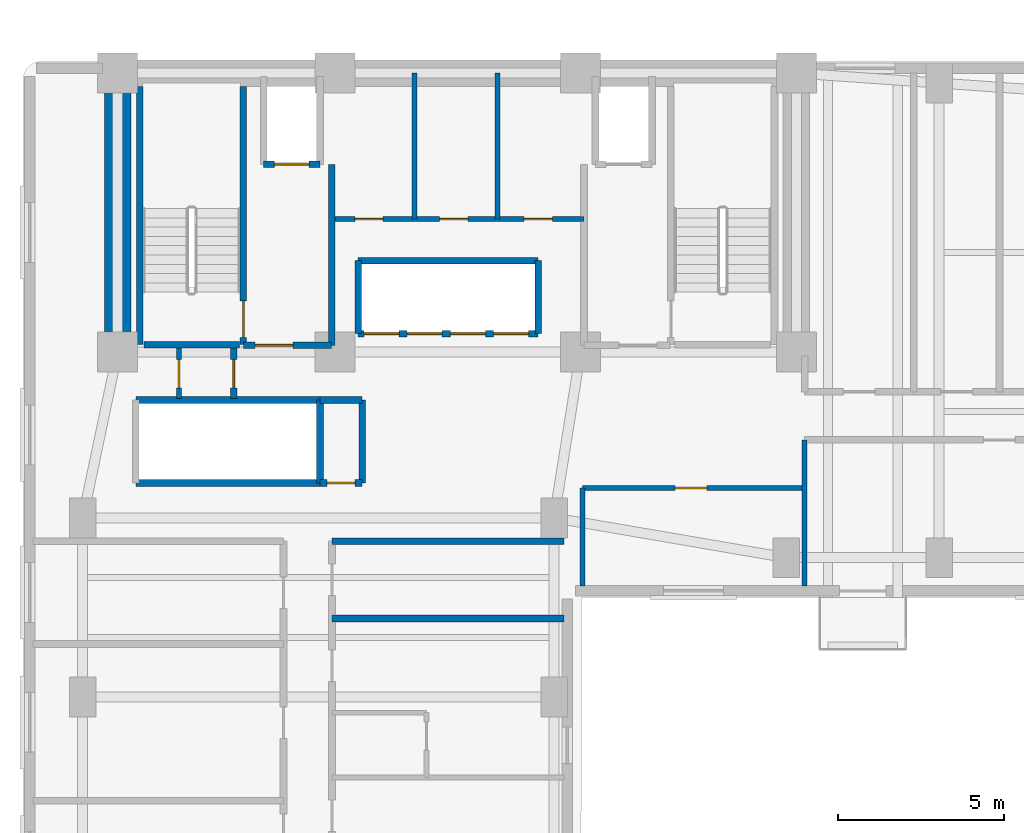
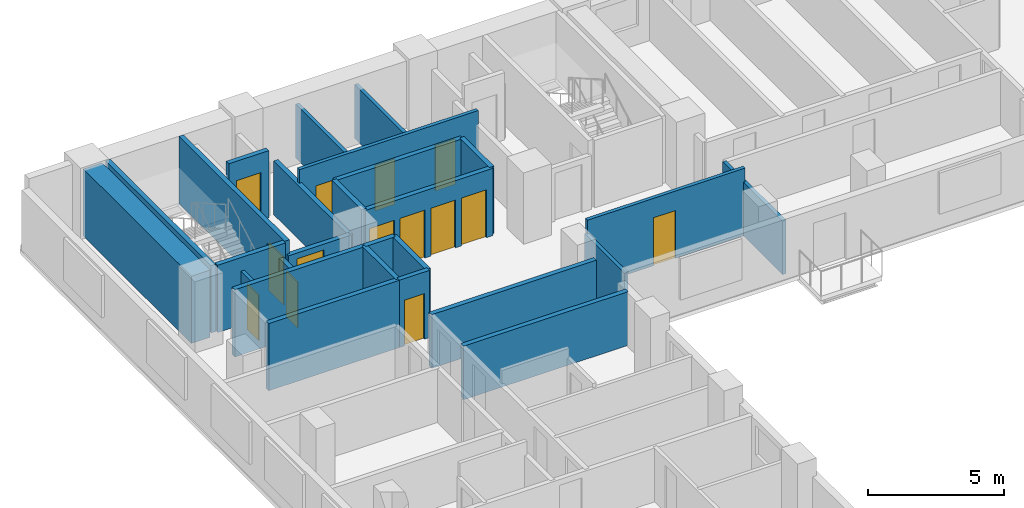
# One storey, part 4 of 10: 27 walls, 14 doors, 14 openings.
"""IFC4 building model written with IfcOpenShell, lengths in metres."""

import ifcopenshell
import ifcopenshell.guid

model = None  # the IFC model being written
_history = None  # IfcOwnerHistory: only IFC2X3 demands one
_inside = {}  # id of a spatial element -> (the spatial element, [elements in it])
_under = {}  # id of a project, library or spatial element -> (it, [spatial elements below it])
_declared = {}  # id of a project -> (the project, [libraries it declares])
_typed = {}  # id of a type object -> (the type object, [elements of that type])
_made_of = {}  # id of a material, layer set ... -> (it, [elements and type objects made of it])


def new_model(schema):
    """Start an empty IFC model of exactly this schema.

    Asked for "IFC4X3", IfcOpenShell would pick the latest addendum, in which some entities
    have other attributes; the version numbers below select the first issue.
    IFC2X3 requires an IfcOwnerHistory on every rooted entity: one is made here for all.
    """
    global model, _history
    if schema == "IFC4X3":
        model = ifcopenshell.file(schema_version=(4, 3, 0, 0))
    else:
        model = ifcopenshell.file(schema=schema)
    _inside.clear()
    _under.clear()
    _declared.clear()
    _typed.clear()
    _made_of.clear()
    _history = None
    if model.schema == "IFC2X3":
        org = make("IfcOrganization", Name="unknown")
        user = make(
            "IfcPersonAndOrganization",
            ThePerson=make("IfcPerson", FamilyName="unknown"),
            TheOrganization=org,
        )
        app = make(
            "IfcApplication",
            ApplicationDeveloper=org,
            Version="unknown",
            ApplicationFullName="unknown",
            ApplicationIdentifier="unknown",
        )
        _history = make(
            "IfcOwnerHistory",
            OwningUser=user,
            OwningApplication=app,
            ChangeAction="ADDED",
            CreationDate=0,
        )
    return model


def make(cls, **values):
    """One entity of the class cls with the attributes given. An attribute that is None is left unset."""
    return model.create_entity(
        cls, **{name: value for name, value in values.items() if value is not None}
    )


def rooted(cls, **values):
    """An entity with a GlobalId (a new one), such as an element, a storey or a relation."""
    return make(cls, GlobalId=ifcopenshell.guid.new(), OwnerHistory=_history, **values)


def si_unit(unit_type, name, prefix=None):
    """IfcSIUnit, for example si_unit("LENGTHUNIT", "METRE", prefix="MILLI")."""
    return make("IfcSIUnit", UnitType=unit_type, Prefix=prefix, Name=name)


def assignment(units):
    """IfcUnitAssignment: the units of a project."""
    return None if units is None else make("IfcUnitAssignment", Units=units)


def point(xyz):
    """IfcCartesianPoint."""
    return None if xyz is None else make("IfcCartesianPoint", Coordinates=xyz)


def direction(xyz):
    """IfcDirection."""
    return None if xyz is None else make("IfcDirection", DirectionRatios=xyz)


def frame(location, z_axis=None, x_axis=None):
    """IfcAxis2Placement3D, a coordinate frame: its origin and axes. An axis left out is left unset."""
    return make(
        "IfcAxis2Placement3D",
        Location=point(location),
        Axis=direction(z_axis),
        RefDirection=direction(x_axis),
    )


def frame_2d(location, x_axis=None):
    """IfcAxis2Placement2D, a coordinate frame in the plane: its origin and x axis."""
    return make(
        "IfcAxis2Placement2D", Location=point(location), RefDirection=direction(x_axis)
    )


def origin():
    """The frame at (0, 0, 0) with its axes left unset."""
    return frame((0.0, 0.0, 0.0))


def place(relative_to, where):
    """IfcLocalPlacement: puts the frame where relative to a parent placement (None: the world)."""
    return make(
        "IfcLocalPlacement", PlacementRelTo=relative_to, RelativePlacement=where
    )


def context(
    kind, dimensions, precision=None, world=None, true_north=None, identifier=None
):
    """IfcGeometricRepresentationContext, for example the 3D "Model" context."""
    return make(
        "IfcGeometricRepresentationContext",
        ContextIdentifier=identifier,
        ContextType=kind,
        CoordinateSpaceDimension=dimensions,
        Precision=precision,
        WorldCoordinateSystem=world,
        TrueNorth=true_north,
    )


def subcontext(parent, identifier, kind, view, scale=None):
    """IfcGeometricRepresentationSubContext, for example "Body" below "Model"."""
    return make(
        "IfcGeometricRepresentationSubContext",
        ContextIdentifier=identifier,
        ContextType=kind,
        ParentContext=parent,
        TargetScale=scale,
        TargetView=view,
    )


def project(units=None, contexts=None):
    """IfcProject with its units and contexts."""
    return rooted(
        "IfcProject",
        Name="project",
        RepresentationContexts=contexts,
        UnitsInContext=assignment(units),
    )


def spatial(cls, under=None, at=None, **own):
    """A site, building, storey or space (cls), placed at a placement, below another one or the project."""
    s = rooted(cls, ObjectPlacement=at, **own)
    if under is not None:
        _under.setdefault(under.id(), (under, []))[1].append(s)
    return s


def profile(cls, at=None, kind="AREA", **sizes):
    """A parametric profile (cls). Its sizes go by their IFC names, for example OverallWidth=200.0."""
    return make(cls, ProfileType=kind, Position=at, **sizes)


def rectangle(**sizes):
    """IfcRectangleProfileDef."""
    return profile("IfcRectangleProfileDef", **sizes)


def extrude(swept, where, along, depth):
    """IfcExtrudedAreaSolid: the profile swept, set in the frame where, extruded along a direction by depth."""
    return make(
        "IfcExtrudedAreaSolid",
        SweptArea=swept,
        Position=where,
        ExtrudedDirection=direction(along),
        Depth=depth,
    )


def shape(context_of_items, identifier, shape_type, items):
    """IfcShapeRepresentation: the items that make up one representation, for example the "Body"."""
    return make(
        "IfcShapeRepresentation",
        ContextOfItems=context_of_items,
        RepresentationIdentifier=identifier,
        RepresentationType=shape_type,
        Items=items,
    )


def material(Name=None, Category=None):
    """IfcMaterial."""
    return make("IfcMaterial", Name=Name, Category=Category)


def layer(
    of_material, thickness, ventilated=None, Name=None, Category=None, Priority=None
):
    """IfcMaterialLayer: one layer of a wall or slab, of a material (None: an air gap)."""
    return make(
        "IfcMaterialLayer",
        Material=of_material,
        LayerThickness=thickness,
        IsVentilated=ventilated,
        Name=Name,
        Category=Category,
        Priority=Priority,
    )


def layer_set(layers, Name=None):
    """IfcMaterialLayerSet."""
    return make("IfcMaterialLayerSet", MaterialLayers=layers, LayerSetName=Name)


def made_of(thing, what):
    """Note that an element or type object is made of a material, layer set ...; save() writes the relation."""
    if what is not None:
        _made_of.setdefault(what.id(), (what, []))[1].append(thing)
    return thing


def type_object(cls, material=None, **own):
    """A type object (cls), such as IfcWallType, which elements share."""
    return made_of(rooted(cls, **own), material)


def element(
    cls,
    number,
    at=None,
    inside=None,
    cuts=None,
    type_object=None,
    material=None,
    context=None,
    identifier="Body",
    shape_type=None,
    held_by="IfcProductDefinitionShape",
    body=None,
    shapes=None,
    **own,
):
    """One element of the class cls, such as IfcWall. Its Tag is "e" and its number.

    at: its placement. inside: the storey or other place that contains it. cuts: it is an
    opening in that element (IfcRelVoidsElement). A single representation is given by context,
    identifier, shape_type and body (its items); several are given by shapes. held_by: the class
    of the entity that holds the representations. save() writes the other relations.
    """
    e = rooted(cls, Tag="e%d" % number, ObjectPlacement=at, **own)
    if body is not None:
        shapes = [shape(context, identifier, shape_type, body)]
    if shapes is not None:
        e.Representation = make(held_by, Representations=shapes)
    if inside is not None:
        _inside.setdefault(inside.id(), (inside, []))[1].append(e)
    if cuts is not None:
        rooted(
            "IfcRelVoidsElement", RelatingBuildingElement=cuts, RelatedOpeningElement=e
        )
    if type_object is not None:
        _typed.setdefault(type_object.id(), (type_object, []))[1].append(e)
    return made_of(e, material)


def fill(opening, filler):
    """IfcRelFillsElement: the door or window that sits in an opening."""
    return rooted(
        "IfcRelFillsElement",
        RelatingOpeningElement=opening,
        RelatedBuildingElement=filler,
    )


def aggregate(whole, parts):
    """IfcRelAggregates: a whole, such as a stair, and the parts it consists of."""
    return rooted("IfcRelAggregates", RelatingObject=whole, RelatedObjects=parts)


def save(model, path):
    """Write the relations noted so far, then the file.

    IfcRelAggregates (storeys below a building ...), IfcRelContainedInSpatialStructure (elements
    in a storey), IfcRelDefinesByType, IfcRelAssociatesMaterial and IfcRelDeclares: one each for
    every whole, place, type object, material and project.
    """
    for whole, parts in _under.values():
        aggregate(whole, parts)
    for where, things in _inside.values():
        rooted(
            "IfcRelContainedInSpatialStructure",
            RelatedElements=things,
            RelatingStructure=where,
        )
    for kind, things in _typed.values():
        rooted("IfcRelDefinesByType", RelatedObjects=things, RelatingType=kind)
    for what, things in _made_of.values():
        rooted("IfcRelAssociatesMaterial", RelatedObjects=things, RelatingMaterial=what)
    for by, libraries in _declared.values():
        rooted("IfcRelDeclares", RelatingContext=by, RelatedDefinitions=libraries)
    model.write(path)


model = new_model("IFC4")

# Units and contexts
model_context = context("Model", 3, precision=1e-05, world=origin(), true_north=direction((0.0, 1.0)))
body_context = subcontext(model_context, "Body", "Model", "MODEL_VIEW")
ifc_project = project(units=[si_unit("LENGTHUNIT", "METRE"), si_unit("AREAUNIT", "SQUARE_METRE"), si_unit("VOLUMEUNIT", "CUBIC_METRE"), si_unit("PLANEANGLEUNIT", "RADIAN"), si_unit("MASSUNIT", "GRAM", prefix="KILO")], contexts=[model_context])

# Site, building, storey
site_placement = place(None, origin())
site = spatial("IfcSite", under=ifc_project, at=site_placement, CompositionType="ELEMENT")
building_placement = place(site_placement, origin())
building = spatial("IfcBuilding", under=site, at=building_placement, Name="Kuzgunbayir Cultural Tower", CompositionType="ELEMENT")
storey_placement = place(building_placement, frame((0.0, 0.0, 93.0)))
storey = spatial("IfcBuildingStorey", under=building, at=storey_placement, Name="L26", CompositionType="ELEMENT", Elevation=93.0)

# Wall
ifc_material_1 = material(Name="Concrete C60/75", Category="concrete")
ifc_layer_1 = layer(ifc_material_1, 0.800048828125)
ifc_layer_set_1 = layer_set([ifc_layer_1], Name="Concrete C60/75")
wall_type_1 = type_object("IfcWallType", Name="WAL-CORE-800", PredefinedType="SHEAR", material=ifc_layer_set_1)
wall_1_placement = place(storey_placement, frame((6.449951171875, 33.800048828125, 0.0), z_axis=(0.0, 0.0, 1.0), x_axis=(0.0, 1.0, 0.0)))
element("IfcWall", 1, at=wall_1_placement, inside=storey, type_object=wall_type_1, Name="L26 T1 Core West Shear Wall", PredefinedType="SHEAR", context=body_context, shape_type="SweptSolid", body=[
    extrude(rectangle(XDim=7.949951171875, YDim=0.800048828125, at=frame_2d((3.97509765625, 0.0))), origin(), (0.0, 0.0, 1.0), 3.02001953125),
])

# Wall, opening, door
ifc_material_2 = material(Name="Acoustic Double-Stud Drywall", Category="gypsum")
ifc_layer_2 = layer(ifc_material_2, 0.14990234375)
ifc_layer_set_2 = layer_set([ifc_layer_2], Name="Acoustic Double-Stud Drywall")
wall_type_2 = type_object("IfcWallType", Name="WAL-PART-ACOUSTIC-150", PredefinedType="PARTITIONING", material=ifc_layer_set_2)
wall_2_placement = place(storey_placement, frame((8.300048828125, 32.39990234375, 0.0), z_axis=(0.0, 0.0, 1.0), x_axis=(0.0, 1.0, 0.0)))
wall_2 = element("IfcWall", 2, at=wall_2_placement, inside=storey, type_object=wall_type_2, Name="L26 West Core Closet Divider", PredefinedType="PARTITIONING", context=body_context, shape_type="SweptSolid", body=[
    extrude(rectangle(XDim=1.52001953125, YDim=0.14990234375, at=frame_2d((0.760009765625, 0.0))), origin(), (0.0, 0.0, 1.0), 2.409912109375),
])
opening_1_placement = place(wall_2_placement, frame((0.320068359375, 0.0, 0.0)))
opening_1 = element("IfcOpeningElement", 3, at=opening_1_placement, cuts=wall_2, Name="Opening DR-RSR-60", PredefinedType="OPENING", context=body_context, shape_type="SweptSolid", body=[
    extrude(rectangle(XDim=0.85009765625, YDim=2.050048828125, at=frame_2d((0.425048828125, 1.02490234375))), frame((0.0, 0.0849609375, 0.0), z_axis=(0.0, -1.0, 0.0), x_axis=(1.0, 0.0, 0.0)), (0.0, 0.0, 1.0), 0.169921875),
])
ifc_material_3 = material(Name="Steel Access Leaf", Category="steel")
door_type_1 = type_object("IfcDoorType", Name="DR-RISER-60", OperationType="NOTDEFINED", PredefinedType="DOOR", material=ifc_material_3)
door_1_placement = place(opening_1_placement, origin())
door_1 = element("IfcDoor", 4, at=door_1_placement, inside=storey, type_object=door_type_1, Name="L26 Sub-Meter Closet Door", OperationType="SINGLE_SWING_RIGHT", OverallHeight=2.050048828125, OverallWidth=0.85009765625, PredefinedType="DOOR", context=body_context, shape_type="SweptSolid", body=[
    extrude(rectangle(XDim=0.85009765625, YDim=2.050048828125, at=frame_2d((0.425048828125, 1.02490234375))), frame((0.0, 0.02490234375, 0.0), z_axis=(0.0, -1.0, 0.0), x_axis=(1.0, 0.0, 0.0)), (0.0, 0.0, 1.0), 0.050048828125),
])
fill(opening_1, door_1)

# Wall, openings, doors
wall_3_placement = place(storey_placement, frame((12.89990234375, 37.800048828125, 0.0), z_axis=(0.0, 0.0, 1.0), x_axis=(1.0, 0.0, 0.0)))
wall_3 = element("IfcWall", 5, at=wall_3_placement, inside=storey, type_object=wall_type_2, Name="L26 Repurposed Core Suite Wall", PredefinedType="PARTITIONING", context=body_context, shape_type="SweptSolid", body=[
    extrude(rectangle(XDim=7.60009765625, YDim=0.14990234375, at=frame_2d((3.800048828125, 0.0))), origin(), (0.0, 0.0, 1.0), 3.02001953125),
])
opening_2_placement = place(wall_3_placement, frame((0.699951171875, 0.0, 0.0)))
opening_2 = element("IfcOpeningElement", 6, at=opening_2_placement, cuts=wall_3, Name="Opening DC-85", PredefinedType="OPENING", context=body_context, shape_type="SweptSolid", body=[
    extrude(rectangle(XDim=0.85009765625, YDim=2.050048828125, at=frame_2d((0.425048828125, 1.02490234375))), frame((0.0, 0.0849609375, 0.0), z_axis=(0.0, -1.0, 0.0), x_axis=(1.0, 0.0, 0.0)), (0.0, 0.0, 1.0), 0.169921875),
])
opening_3_placement = place(wall_3_placement, frame((3.25, 0.0, 0.0)))
opening_3 = element("IfcOpeningElement", 7, at=opening_3_placement, cuts=wall_3, Name="Opening DC-85", PredefinedType="OPENING", context=body_context, shape_type="SweptSolid", body=[
    extrude(rectangle(XDim=0.85009765625, YDim=2.050048828125, at=frame_2d((0.425048828125, 1.02490234375))), frame((0.0, 0.0849609375, 0.0), z_axis=(0.0, -1.0, 0.0), x_axis=(1.0, 0.0, 0.0)), (0.0, 0.0, 1.0), 0.169921875),
])
opening_4_placement = place(wall_3_placement, frame((5.800048828125, 0.0, 0.0)))
opening_4 = element("IfcOpeningElement", 8, at=opening_4_placement, cuts=wall_3, Name="Opening DC-85", PredefinedType="OPENING", context=body_context, shape_type="SweptSolid", body=[
    extrude(rectangle(XDim=0.85009765625, YDim=2.050048828125, at=frame_2d((0.425048828125, 1.02490234375))), frame((0.0, 0.0849609375, 0.0), z_axis=(0.0, -1.0, 0.0), x_axis=(1.0, 0.0, 0.0)), (0.0, 0.0, 1.0), 0.169921875),
])
ifc_material_4 = material(Name="Fire-Rated Veneered Oak Leaf", Category="wood")
door_type_2 = type_object("IfcDoorType", Name="DR-CORE-85", OperationType="NOTDEFINED", PredefinedType="DOOR", material=ifc_material_4)
door_2_placement = place(opening_2_placement, origin())
door_2 = element("IfcDoor", 9, at=door_2_placement, inside=storey, type_object=door_type_2, Name="L26 Phone Booth Door", OperationType="SINGLE_SWING_RIGHT", OverallHeight=2.050048828125, OverallWidth=0.85009765625, PredefinedType="DOOR", context=body_context, shape_type="SweptSolid", body=[
    extrude(rectangle(XDim=0.85009765625, YDim=2.050048828125, at=frame_2d((0.425048828125, 1.02490234375))), frame((0.0, 0.02490234375, 0.0), z_axis=(0.0, -1.0, 0.0), x_axis=(1.0, 0.0, 0.0)), (0.0, 0.0, 1.0), 0.050048828125),
])
fill(opening_2, door_2)
door_3_placement = place(opening_3_placement, origin())
door_3 = element("IfcDoor", 10, at=door_3_placement, inside=storey, type_object=door_type_2, Name="L26 Pantry Alcove Door", OperationType="SINGLE_SWING_LEFT", OverallHeight=2.050048828125, OverallWidth=0.85009765625, PredefinedType="DOOR", context=body_context, shape_type="SweptSolid", body=[
    extrude(rectangle(XDim=0.85009765625, YDim=2.050048828125, at=frame_2d((0.425048828125, 1.02490234375))), frame((0.0, 0.02490234375, 0.0), z_axis=(0.0, -1.0, 0.0), x_axis=(1.0, 0.0, 0.0)), (0.0, 0.0, 1.0), 0.050048828125),
])
fill(opening_3, door_3)
door_4_placement = place(opening_4_placement, origin())
door_4 = element("IfcDoor", 11, at=door_4_placement, inside=storey, type_object=door_type_2, Name="L26 Telecom Closet Door", OperationType="SINGLE_SWING_RIGHT", OverallHeight=2.050048828125, OverallWidth=0.85009765625, PredefinedType="DOOR", context=body_context, shape_type="SweptSolid", body=[
    extrude(rectangle(XDim=0.85009765625, YDim=2.050048828125, at=frame_2d((0.425048828125, 1.02490234375))), frame((0.0, 0.02490234375, 0.0), z_axis=(0.0, -1.0, 0.0), x_axis=(1.0, 0.0, 0.0)), (0.0, 0.0, 1.0), 0.050048828125),
])
fill(opening_4, door_4)

# Walls
for number, where, z_axis, x_axis, name in (
    (12, (15.39990234375, 37.800048828125, 0.0), (0.0, 0.0, 1.0), (0.0, 1.0, 0.0), "L26 Core Pod Partition 1"),
    (13, (17.89990234375, 37.800048828125, 0.0), (0.0, 0.0, 1.0), (0.0, 1.0, 0.0), "L26 Core Pod Partition 2"),
):
    element("IfcWall", number, at=place(storey_placement, frame(where, z_axis=z_axis, x_axis=x_axis)), inside=storey, type_object=wall_type_2, Name=name, PredefinedType="PARTITIONING", context=body_context, shape_type="SweptSolid", body=[
        extrude(rectangle(XDim=4.39990234375, YDim=0.14990234375, at=frame_2d((2.199951171875, 0.0))), origin(), (0.0, 0.0, 1.0), 2.409912109375),
    ])

# Wall, opening, door
wall_4_placement = place(storey_placement, frame((20.449951171875, 29.699951171875, 0.0), z_axis=(0.0, 0.0, 1.0), x_axis=(1.0, 0.0, 0.0)))
wall_4 = element("IfcWall", 14, at=wall_4_placement, inside=storey, type_object=wall_type_2, Name="L26 Waist Alcove North Wall", PredefinedType="PARTITIONING", context=body_context, shape_type="SweptSolid", body=[
    extrude(rectangle(XDim=6.699951171875, YDim=0.14990234375, at=frame_2d((3.35009765625, 0.0))), origin(), (0.0, 0.0, 1.0), 3.02001953125),
])
opening_5_placement = place(wall_4_placement, frame((2.800048828125, 0.0, 0.0)))
opening_5 = element("IfcOpeningElement", 15, at=opening_5_placement, cuts=wall_4, Name="Opening DI-90", PredefinedType="OPENING", context=body_context, shape_type="SweptSolid", body=[
    extrude(rectangle(XDim=0.949951171875, YDim=2.14990234375, at=frame_2d((0.47509765625, 1.074951171875))), frame((0.0, 0.0849609375, 0.0), z_axis=(0.0, -1.0, 0.0), x_axis=(1.0, 0.0, 0.0)), (0.0, 0.0, 1.0), 0.169921875),
])
ifc_material_5 = material(Name="Veneered Oak Single Leaf", Category="wood")
door_type_3 = type_object("IfcDoorType", Name="DR-INT-90", OperationType="NOTDEFINED", PredefinedType="DOOR", material=ifc_material_5)
door_5_placement = place(opening_5_placement, origin())
door_5 = element("IfcDoor", 16, at=door_5_placement, inside=storey, type_object=door_type_3, Name="L26 Waist Alcove Door", OperationType="SINGLE_SWING_LEFT", OverallHeight=2.14990234375, OverallWidth=0.949951171875, PredefinedType="DOOR", context=body_context, shape_type="SweptSolid", body=[
    extrude(rectangle(XDim=0.949951171875, YDim=2.14990234375, at=frame_2d((0.47509765625, 1.074951171875))), frame((0.0, 0.02490234375, 0.0), z_axis=(0.0, -1.0, 0.0), x_axis=(1.0, 0.0, 0.0)), (0.0, 0.0, 1.0), 0.050048828125),
])
fill(opening_5, door_5)

# Walls
wall_5_placement = place(storey_placement, frame((20.449951171875, 26.75, 0.0), z_axis=(0.0, 0.0, 1.0), x_axis=(0.0, 1.0, 0.0)))
element("IfcWall", 17, at=wall_5_placement, inside=storey, type_object=wall_type_2, Name="L26 Waist Alcove West Wall", PredefinedType="PARTITIONING", context=body_context, shape_type="SweptSolid", body=[
    extrude(rectangle(XDim=2.949951171875, YDim=0.14990234375, at=frame_2d((1.47509765625, 0.0))), origin(), (0.0, 0.0, 1.0), 2.409912109375),
])
wall_6_placement = place(storey_placement, frame((27.14990234375, 26.75, 0.0), z_axis=(0.0, 0.0, 1.0), x_axis=(0.0, 1.0, 0.0)))
element("IfcWall", 18, at=wall_6_placement, inside=storey, type_object=wall_type_2, Name="L26 Waist Alcove East Wall", PredefinedType="PARTITIONING", context=body_context, shape_type="SweptSolid", body=[
    extrude(rectangle(XDim=4.39990234375, YDim=0.14990234375, at=frame_2d((2.199951171875, 0.0))), origin(), (0.0, 0.0, 1.0), 2.409912109375),
])
ifc_material_6 = material(Name="Aerated Concrete Blockwork", Category="masonry")
ifc_layer_3 = layer(ifc_material_6, 0.199951171875)
ifc_layer_set_3 = layer_set([ifc_layer_3], Name="Aerated Concrete Blockwork")
wall_type_3 = type_object("IfcWallType", Name="WAL-PART-FIRE-200", PredefinedType="PARTITIONING", material=ifc_layer_set_3)
wall_7_placement = place(storey_placement, frame((12.89990234375, 34.0, 0.0), z_axis=(0.0, 0.0, 1.0), x_axis=(0.0, 1.0, 0.0)))
element("IfcWall", 19, at=wall_7_placement, inside=storey, type_object=wall_type_3, Name="L26 FFL-1 Lobby East Fire Wall", PredefinedType="PARTITIONING", context=body_context, shape_type="SweptSolid", body=[
    extrude(rectangle(XDim=5.449951171875, YDim=0.199951171875, at=frame_2d((2.72509765625, 0.0))), origin(), (0.0, 0.0, 1.0), 2.409912109375),
])

# Wall, opening, door
wall_8_placement = place(storey_placement, frame((10.239990234375, 34.0, 0.0), z_axis=(0.0, 0.0, 1.0), x_axis=(1.0, 0.0, 0.0)))
wall_8 = element("IfcWall", 20, at=wall_8_placement, inside=storey, type_object=wall_type_3, Name="L26 FFL-1 Lobby South Fire Wall", PredefinedType="PARTITIONING", context=body_context, shape_type="SweptSolid", body=[
    extrude(rectangle(XDim=2.659912109375, YDim=0.199951171875, at=frame_2d((1.330078125, 0.0))), origin(), (0.0, 0.0, 1.0), 2.409912109375),
])
opening_6_placement = place(wall_8_placement, frame((0.35009765625, 0.0, 0.0)))
opening_6 = element("IfcOpeningElement", 21, at=opening_6_placement, cuts=wall_8, Name="Opening DR-FFL-90", PredefinedType="OPENING", context=body_context, shape_type="SweptSolid", body=[
    extrude(rectangle(XDim=1.14990234375, YDim=2.14990234375, at=frame_2d((0.574951171875, 1.074951171875))), frame((0.0, 0.10986328125, 0.0), z_axis=(0.0, -1.0, 0.0), x_axis=(1.0, 0.0, 0.0)), (0.0, 0.0, 1.0), 0.219970703125),
])
ifc_material_7 = material(Name="Steel S355J2", Category="steel")
door_type_4 = type_object("IfcDoorType", Name="DR-FFL-90", OperationType="NOTDEFINED", PredefinedType="DOOR", material=ifc_material_7)
door_6_placement = place(opening_6_placement, origin())
door_6 = element("IfcDoor", 22, at=door_6_placement, inside=storey, type_object=door_type_4, Name="L26 Firefighting Lobby 1 Door", OperationType="SINGLE_SWING_LEFT", OverallHeight=2.14990234375, OverallWidth=1.14990234375, PredefinedType="DOOR", context=body_context, shape_type="SweptSolid", body=[
    extrude(rectangle(XDim=1.14990234375, YDim=2.14990234375, at=frame_2d((0.574951171875, 1.074951171875))), frame((0.0, 0.02490234375, 0.0), z_axis=(0.0, -1.0, 0.0), x_axis=(1.0, 0.0, 0.0)), (0.0, 0.0, 1.0), 0.050048828125),
])
fill(opening_6, door_6)

wall_9_placement = place(storey_placement, frame((9.949951171875, 32.39990234375, 0.0), z_axis=(0.0, 0.0, 1.0), x_axis=(0.0, 1.0, 0.0)))
wall_9 = element("IfcWall", 23, at=wall_9_placement, inside=storey, type_object=wall_type_3, Name="L26 West Core Service Closet Wall", PredefinedType="PARTITIONING", context=body_context, shape_type="SweptSolid", body=[
    extrude(rectangle(XDim=1.52001953125, YDim=0.199951171875, at=frame_2d((0.760009765625, 0.0))), origin(), (0.0, 0.0, 1.0), 2.409912109375),
])
opening_7_placement = place(wall_9_placement, frame((0.320068359375, 0.0, 0.0)))
opening_7 = element("IfcOpeningElement", 24, at=opening_7_placement, cuts=wall_9, Name="Opening DR-RSR-60", PredefinedType="OPENING", context=body_context, shape_type="SweptSolid", body=[
    extrude(rectangle(XDim=0.85009765625, YDim=2.050048828125, at=frame_2d((0.425048828125, 1.02490234375))), frame((0.0, 0.10986328125, 0.0), z_axis=(0.0, -1.0, 0.0), x_axis=(1.0, 0.0, 0.0)), (0.0, 0.0, 1.0), 0.219970703125),
])
door_7_placement = place(opening_7_placement, origin())
door_7 = element("IfcDoor", 25, at=door_7_placement, inside=storey, type_object=door_type_1, Name="L26 Cleaner Store Door", OperationType="SINGLE_SWING_LEFT", OverallHeight=2.050048828125, OverallWidth=0.85009765625, PredefinedType="DOOR", context=body_context, shape_type="SweptSolid", body=[
    extrude(rectangle(XDim=0.85009765625, YDim=2.050048828125, at=frame_2d((0.425048828125, 1.02490234375))), frame((0.0, 0.02490234375, 0.0), z_axis=(0.0, -1.0, 0.0), x_axis=(1.0, 0.0, 0.0)), (0.0, 0.0, 1.0), 0.050048828125),
])
fill(opening_7, door_7)

wall_10_placement = place(storey_placement, frame((12.550048828125, 29.85009765625, 0.0), z_axis=(0.0, 0.0, 1.0), x_axis=(1.0, 0.0, 0.0)))
wall_10 = element("IfcWall", 26, at=wall_10_placement, inside=storey, type_object=wall_type_3, Name="L26 Center Core Switchgear South Wall", PredefinedType="PARTITIONING", context=body_context, shape_type="SweptSolid", body=[
    extrude(rectangle(XDim=1.27001953125, YDim=0.199951171875, at=frame_2d((0.635009765625, 0.0))), origin(), (0.0, 0.0, 1.0), 3.02001953125),
])
opening_8_placement = place(wall_10_placement, frame((0.2099609375, 0.0, 0.0)))
opening_8 = element("IfcOpeningElement", 27, at=opening_8_placement, cuts=wall_10, Name="Opening DR-RSR-60", PredefinedType="OPENING", context=body_context, shape_type="SweptSolid", body=[
    extrude(rectangle(XDim=0.85009765625, YDim=2.050048828125, at=frame_2d((0.425048828125, 1.02490234375))), frame((0.0, 0.10986328125, 0.0), z_axis=(0.0, -1.0, 0.0), x_axis=(1.0, 0.0, 0.0)), (0.0, 0.0, 1.0), 0.219970703125),
])
door_8_placement = place(opening_8_placement, origin())
door_8 = element("IfcDoor", 28, at=door_8_placement, inside=storey, type_object=door_type_1, Name="L26 Telecom Closet Door", OperationType="SINGLE_SWING_LEFT", OverallHeight=2.050048828125, OverallWidth=0.85009765625, PredefinedType="DOOR", context=body_context, shape_type="SweptSolid", body=[
    extrude(rectangle(XDim=0.85009765625, YDim=2.050048828125, at=frame_2d((0.425048828125, 1.02490234375))), frame((0.0, 0.02490234375, 0.0), z_axis=(0.0, -1.0, 0.0), x_axis=(1.0, 0.0, 0.0)), (0.0, 0.0, 1.0), 0.050048828125),
])
fill(opening_8, door_8)

# Walls
wall_11_placement = place(storey_placement, frame((13.820068359375, 29.85009765625, 0.0), z_axis=(0.0, 0.0, 1.0), x_axis=(0.0, 1.0, 0.0)))
element("IfcWall", 29, at=wall_11_placement, inside=storey, type_object=wall_type_3, Name="L26 Center Core Switchgear East Wall", PredefinedType="PARTITIONING", context=body_context, shape_type="SweptSolid", body=[
    extrude(rectangle(XDim=2.5, YDim=0.199951171875, at=frame_2d((1.25, 0.0))), origin(), (0.0, 0.0, 1.0), 3.02001953125),
])
wall_12_placement = place(storey_placement, frame((12.550048828125, 32.35009765625, 0.0), z_axis=(0.0, 0.0, 1.0), x_axis=(1.0, 0.0, 0.0)))
element("IfcWall", 30, at=wall_12_placement, inside=storey, type_object=wall_type_3, Name="L26 Center Core Switchgear North Wall", PredefinedType="PARTITIONING", context=body_context, shape_type="SweptSolid", body=[
    extrude(rectangle(XDim=1.27001953125, YDim=0.199951171875, at=frame_2d((0.635009765625, 0.0))), origin(), (0.0, 0.0, 1.0), 3.02001953125),
])
for number, where, z_axis, x_axis, name in (
    (31, (12.909912109375, 28.10009765625, 0.0), (0.0, 0.0, 1.0), (1.0, 0.0, 0.0), "L26 North East Partition"),
    (32, (12.909912109375, 25.77001953125, 0.0), (0.0, 0.0, 1.0), (1.0, 0.0, 0.0), "L26 Suite E1 Sub-Party Wall"),
):
    element("IfcWall", number, at=place(storey_placement, frame(where, z_axis=z_axis, x_axis=x_axis)), inside=storey, type_object=wall_type_3, Name=name, PredefinedType="PARTITIONING", context=body_context, shape_type="SweptSolid", body=[
        extrude(rectangle(XDim=6.989990234375, YDim=0.199951171875, at=frame_2d((3.4951171875, 0.0))), origin(), (0.0, 0.0, 1.0), 2.409912109375),
    ])
ifc_material_8 = material(Name="Concrete C40/50", Category="concrete")
ifc_layer_4 = layer(ifc_material_8, 0.199951171875)
ifc_layer_set_4 = layer_set([ifc_layer_4], Name="Concrete C40/50")
wall_type_4 = type_object("IfcWallType", Name="WAL-SHAFT-200", PredefinedType="MOVABLE", material=ifc_layer_set_4)
for number, where, z_axis, x_axis, name in (
    (33, (7.0, 29.85009765625, 0.0), (0.0, 0.0, 1.0), (1.0, 0.0, 0.0), "L26 High-Rise Lift Shaft South Wall"),
    (34, (7.0, 32.35009765625, 0.0), (0.0, 0.0, 1.0), (1.0, 0.0, 0.0), "L26 High-Rise Lift Shaft North Wall"),
):
    element("IfcWall", number, at=place(storey_placement, frame(where, z_axis=z_axis, x_axis=x_axis)), inside=storey, type_object=wall_type_4, Name=name, PredefinedType="MOVABLE", context=body_context, shape_type="SweptSolid", body=[
        extrude(rectangle(XDim=5.550048828125, YDim=0.199951171875, at=frame_2d((2.77490234375, 0.0))), origin(), (0.0, 0.0, 1.0), 3.02001953125),
    ])
wall_13_placement = place(storey_placement, frame((12.550048828125, 29.85009765625, 0.0), z_axis=(0.0, 0.0, 1.0), x_axis=(0.0, 1.0, 0.0)))
element("IfcWall", 35, at=wall_13_placement, inside=storey, type_object=wall_type_4, Name="L26 High-Rise Lift Shaft East Wall", PredefinedType="MOVABLE", context=body_context, shape_type="SweptSolid", body=[
    extrude(rectangle(XDim=2.5, YDim=0.199951171875, at=frame_2d((1.25, 0.0))), origin(), (0.0, 0.0, 1.0), 3.02001953125),
])

# Wall, opening, door
wall_14_placement = place(storey_placement, frame((10.85009765625, 39.449951171875, 0.0), z_axis=(0.0, 0.0, 1.0), x_axis=(1.0, 0.0, 0.0)))
wall_14 = element("IfcWall", 36, at=wall_14_placement, inside=storey, type_object=wall_type_4, Name="L26 FFL-1 Lift Front Wall", PredefinedType="MOVABLE", context=body_context, shape_type="SweptSolid", body=[
    extrude(rectangle(XDim=1.699951171875, YDim=0.199951171875, at=frame_2d((0.85009765625, 0.0))), origin(), (0.0, 0.0, 1.0), 3.02001953125),
])
opening_9_placement = place(wall_14_placement, frame((0.320068359375, 0.0, 0.0)))
opening_9 = element("IfcOpeningElement", 37, at=opening_9_placement, cuts=wall_14, Name="Opening LD", PredefinedType="OPENING", context=body_context, shape_type="SweptSolid", body=[
    extrude(rectangle(XDim=1.050048828125, YDim=2.14990234375, at=frame_2d((0.52490234375, 1.074951171875))), frame((0.0, 0.10986328125, 0.0), z_axis=(0.0, -1.0, 0.0), x_axis=(1.0, 0.0, 0.0)), (0.0, 0.0, 1.0), 0.219970703125),
])
ifc_material_9 = material(Name="Brushed Stainless Steel", Category="steel")
door_type_5 = type_object("IfcDoorType", Name="DR-LIFT-LANDING", OperationType="SLIDING_TO_LEFT", PredefinedType="DOOR", material=ifc_material_9)
door_9_placement = place(opening_9_placement, origin())
door_9 = element("IfcDoor", 38, at=door_9_placement, inside=storey, type_object=door_type_5, Name="L26 Lift FFL-1 Landing Door", OperationType="SLIDING_TO_LEFT", OverallHeight=2.14990234375, OverallWidth=1.050048828125, PredefinedType="DOOR", context=body_context, shape_type="SweptSolid", body=[
    extrude(rectangle(XDim=1.050048828125, YDim=2.14990234375, at=frame_2d((0.52490234375, 1.074951171875))), frame((0.0, 0.02490234375, 0.0), z_axis=(0.0, -1.0, 0.0), x_axis=(1.0, 0.0, 0.0)), (0.0, 0.0, 1.0), 0.050048828125),
])
fill(opening_9, door_9)

# Wall, openings, doors
wall_15_placement = place(storey_placement, frame((13.699951171875, 34.35009765625, 0.0), z_axis=(0.0, 0.0, 1.0), x_axis=(1.0, 0.0, 0.0)))
wall_15 = element("IfcWall", 39, at=wall_15_placement, inside=storey, type_object=wall_type_4, Name="L26 Mid-Rise Lift Front Wall", PredefinedType="MOVABLE", context=body_context, shape_type="SweptSolid", body=[
    extrude(rectangle(XDim=5.420166015625, YDim=0.199951171875, at=frame_2d((2.7099609375, 0.0))), origin(), (0.0, 0.0, 1.0), 3.02001953125),
])
opening_10_placement = place(wall_15_placement, frame((0.179931640625, 0.0, 0.0)))
opening_10 = element("IfcOpeningElement", 40, at=opening_10_placement, cuts=wall_15, Name="Opening LD", PredefinedType="OPENING", context=body_context, shape_type="SweptSolid", body=[
    extrude(rectangle(XDim=1.050048828125, YDim=2.14990234375, at=frame_2d((0.52490234375, 1.074951171875))), frame((0.0, 0.10986328125, 0.0), z_axis=(0.0, -1.0, 0.0), x_axis=(1.0, 0.0, 0.0)), (0.0, 0.0, 1.0), 0.219970703125),
])
opening_11_placement = place(wall_15_placement, frame((1.469970703125, 0.0, 0.0)))
opening_11 = element("IfcOpeningElement", 41, at=opening_11_placement, cuts=wall_15, Name="Opening LD", PredefinedType="OPENING", context=body_context, shape_type="SweptSolid", body=[
    extrude(rectangle(XDim=1.050048828125, YDim=2.14990234375, at=frame_2d((0.52490234375, 1.074951171875))), frame((0.0, 0.10986328125, 0.0), z_axis=(0.0, -1.0, 0.0), x_axis=(1.0, 0.0, 0.0)), (0.0, 0.0, 1.0), 0.219970703125),
])
opening_12_placement = place(wall_15_placement, frame((2.780029296875, 0.0, 0.0)))
opening_12 = element("IfcOpeningElement", 42, at=opening_12_placement, cuts=wall_15, Name="Opening LD", PredefinedType="OPENING", context=body_context, shape_type="SweptSolid", body=[
    extrude(rectangle(XDim=1.050048828125, YDim=2.14990234375, at=frame_2d((0.52490234375, 1.074951171875))), frame((0.0, 0.10986328125, 0.0), z_axis=(0.0, -1.0, 0.0), x_axis=(1.0, 0.0, 0.0)), (0.0, 0.0, 1.0), 0.219970703125),
])
opening_13_placement = place(wall_15_placement, frame((4.080078125, 0.0, 0.0)))
opening_13 = element("IfcOpeningElement", 43, at=opening_13_placement, cuts=wall_15, Name="Opening LD", PredefinedType="OPENING", context=body_context, shape_type="SweptSolid", body=[
    extrude(rectangle(XDim=1.050048828125, YDim=2.14990234375, at=frame_2d((0.52490234375, 1.074951171875))), frame((0.0, 0.10986328125, 0.0), z_axis=(0.0, -1.0, 0.0), x_axis=(1.0, 0.0, 0.0)), (0.0, 0.0, 1.0), 0.219970703125),
])
door_10_placement = place(opening_10_placement, origin())
door_10 = element("IfcDoor", 44, at=door_10_placement, inside=storey, type_object=door_type_5, Name="L26 Lift PM-1 Landing Door", OperationType="SLIDING_TO_LEFT", OverallHeight=2.14990234375, OverallWidth=1.050048828125, PredefinedType="DOOR", context=body_context, shape_type="SweptSolid", body=[
    extrude(rectangle(XDim=1.050048828125, YDim=2.14990234375, at=frame_2d((0.52490234375, 1.074951171875))), frame((0.0, 0.02490234375, 0.0), z_axis=(0.0, -1.0, 0.0), x_axis=(1.0, 0.0, 0.0)), (0.0, 0.0, 1.0), 0.050048828125),
])
fill(opening_10, door_10)
door_11_placement = place(opening_11_placement, origin())
door_11 = element("IfcDoor", 45, at=door_11_placement, inside=storey, type_object=door_type_5, Name="L26 Lift PM-2 Landing Door", OperationType="SLIDING_TO_LEFT", OverallHeight=2.14990234375, OverallWidth=1.050048828125, PredefinedType="DOOR", context=body_context, shape_type="SweptSolid", body=[
    extrude(rectangle(XDim=1.050048828125, YDim=2.14990234375, at=frame_2d((0.52490234375, 1.074951171875))), frame((0.0, 0.02490234375, 0.0), z_axis=(0.0, -1.0, 0.0), x_axis=(1.0, 0.0, 0.0)), (0.0, 0.0, 1.0), 0.050048828125),
])
fill(opening_11, door_11)
door_12_placement = place(opening_12_placement, origin())
door_12 = element("IfcDoor", 46, at=door_12_placement, inside=storey, type_object=door_type_5, Name="L26 Lift PM-3 Landing Door", OperationType="SLIDING_TO_LEFT", OverallHeight=2.14990234375, OverallWidth=1.050048828125, PredefinedType="DOOR", context=body_context, shape_type="SweptSolid", body=[
    extrude(rectangle(XDim=1.050048828125, YDim=2.14990234375, at=frame_2d((0.52490234375, 1.074951171875))), frame((0.0, 0.02490234375, 0.0), z_axis=(0.0, -1.0, 0.0), x_axis=(1.0, 0.0, 0.0)), (0.0, 0.0, 1.0), 0.050048828125),
])
fill(opening_12, door_12)
door_13_placement = place(opening_13_placement, origin())
door_13 = element("IfcDoor", 47, at=door_13_placement, inside=storey, type_object=door_type_5, Name="L26 Lift PM-4 Landing Door", OperationType="SLIDING_TO_LEFT", OverallHeight=2.14990234375, OverallWidth=1.050048828125, PredefinedType="DOOR", context=body_context, shape_type="SweptSolid", body=[
    extrude(rectangle(XDim=1.050048828125, YDim=2.14990234375, at=frame_2d((0.52490234375, 1.074951171875))), frame((0.0, 0.02490234375, 0.0), z_axis=(0.0, -1.0, 0.0), x_axis=(1.0, 0.0, 0.0)), (0.0, 0.0, 1.0), 0.050048828125),
])
fill(opening_13, door_13)

# Walls
wall_16_placement = place(storey_placement, frame((13.699951171875, 36.550048828125, 0.0), z_axis=(0.0, 0.0, 1.0), x_axis=(1.0, 0.0, 0.0)))
element("IfcWall", 48, at=wall_16_placement, inside=storey, type_object=wall_type_4, Name="L26 Mid-Rise Lift Shaft North Wall", PredefinedType="MOVABLE", context=body_context, shape_type="SweptSolid", body=[
    extrude(rectangle(XDim=5.420166015625, YDim=0.199951171875, at=frame_2d((2.7099609375, 0.0))), origin(), (0.0, 0.0, 1.0), 3.02001953125),
])
for number, where, z_axis, x_axis, name in (
    (49, (13.699951171875, 34.35009765625, 0.0), (0.0, 0.0, 1.0), (0.0, 1.0, 0.0), "L26 Mid-Rise Lift Shaft West Wall"),
    (50, (19.1201171875, 34.35009765625, 0.0), (0.0, 0.0, 1.0), (0.0, 1.0, 0.0), "L26 Mid-Rise Lift Shaft East Wall"),
):
    element("IfcWall", number, at=place(storey_placement, frame(where, z_axis=z_axis, x_axis=x_axis)), inside=storey, type_object=wall_type_4, Name=name, PredefinedType="MOVABLE", context=body_context, shape_type="SweptSolid", body=[
        extrude(rectangle(XDim=2.199951171875, YDim=0.199951171875, at=frame_2d((1.10009765625, 0.0))), origin(), (0.0, 0.0, 1.0), 3.02001953125),
    ])
ifc_layer_5 = layer(ifc_material_8, 0.199951171875)
ifc_layer_set_5 = layer_set([ifc_layer_5], Name="Concrete C40/50")
wall_type_5 = type_object("IfcWallType", Name="WAL-STAIR-RC-200", PredefinedType="SHEAR", material=ifc_layer_set_5)
wall_17_placement = place(storey_placement, frame((7.1201171875, 34.02001953125, 0.0), z_axis=(0.0, 0.0, 1.0), x_axis=(0.0, 1.0, 0.0)))
element("IfcWall", 51, at=wall_17_placement, inside=storey, type_object=wall_type_5, Name="L26 Stair ST-1 West Structural Wall", PredefinedType="SHEAR", context=body_context, shape_type="SweptSolid", body=[
    extrude(rectangle(XDim=7.780029296875, YDim=0.199951171875, at=frame_2d((3.89013671875, 0.0))), origin(), (0.0, 0.0, 1.0), 3.02001953125),
])

# Wall, opening, door
wall_18_placement = place(storey_placement, frame((10.239990234375, 34.02001953125, 0.0), z_axis=(0.0, 0.0, 1.0), x_axis=(0.0, 1.0, 0.0)))
wall_18 = element("IfcWall", 52, at=wall_18_placement, inside=storey, type_object=wall_type_5, Name="L26 Stair ST-1 East Structural Wall", PredefinedType="SHEAR", context=body_context, shape_type="SweptSolid", body=[
    extrude(rectangle(XDim=7.780029296875, YDim=0.199951171875, at=frame_2d((3.89013671875, 0.0))), origin(), (0.0, 0.0, 1.0), 3.02001953125),
])
opening_14_placement = place(wall_18_placement, frame((0.219970703125, 0.0, 0.0)))
opening_14 = element("IfcOpeningElement", 53, at=opening_14_placement, cuts=wall_18, Name="Opening DR-STAIR-90", PredefinedType="OPENING", context=body_context, shape_type="SweptSolid", body=[
    extrude(rectangle(XDim=1.10009765625, YDim=2.14990234375, at=frame_2d((0.550048828125, 1.074951171875))), frame((0.0, 0.10986328125, 0.0), z_axis=(0.0, -1.0, 0.0), x_axis=(1.0, 0.0, 0.0)), (0.0, 0.0, 1.0), 0.219970703125),
])
door_type_6 = type_object("IfcDoorType", Name="DR-STAIR-90", OperationType="NOTDEFINED", PredefinedType="DOOR", material=ifc_material_7)
door_14_placement = place(opening_14_placement, origin())
door_14 = element("IfcDoor", 54, at=door_14_placement, inside=storey, type_object=door_type_6, Name="L26 Stair ST-1 Fire Door", OperationType="SINGLE_SWING_RIGHT", OverallHeight=2.14990234375, OverallWidth=1.10009765625, PredefinedType="DOOR", context=body_context, shape_type="SweptSolid", body=[
    extrude(rectangle(XDim=1.10009765625, YDim=2.14990234375, at=frame_2d((0.550048828125, 1.074951171875))), frame((0.0, 0.02490234375, 0.0), z_axis=(0.0, -1.0, 0.0), x_axis=(1.0, 0.0, 0.0)), (0.0, 0.0, 1.0), 0.050048828125),
])
fill(opening_14, door_14)

# Wall
wall_19_placement = place(storey_placement, frame((7.239990234375, 34.02001953125, 0.0), z_axis=(0.0, 0.0, 1.0), x_axis=(1.0, 0.0, 0.0)))
element("IfcWall", 55, at=wall_19_placement, inside=storey, type_object=wall_type_5, Name="L26 Stair ST-1 South Structural Wall", PredefinedType="SHEAR", context=body_context, shape_type="SweptSolid", body=[
    extrude(rectangle(XDim=2.880126953125, YDim=0.199951171875, at=frame_2d((1.43994140625, 0.0))), origin(), (0.0, 0.0, 1.0), 3.02001953125),
])

save(model, "model.ifc")
